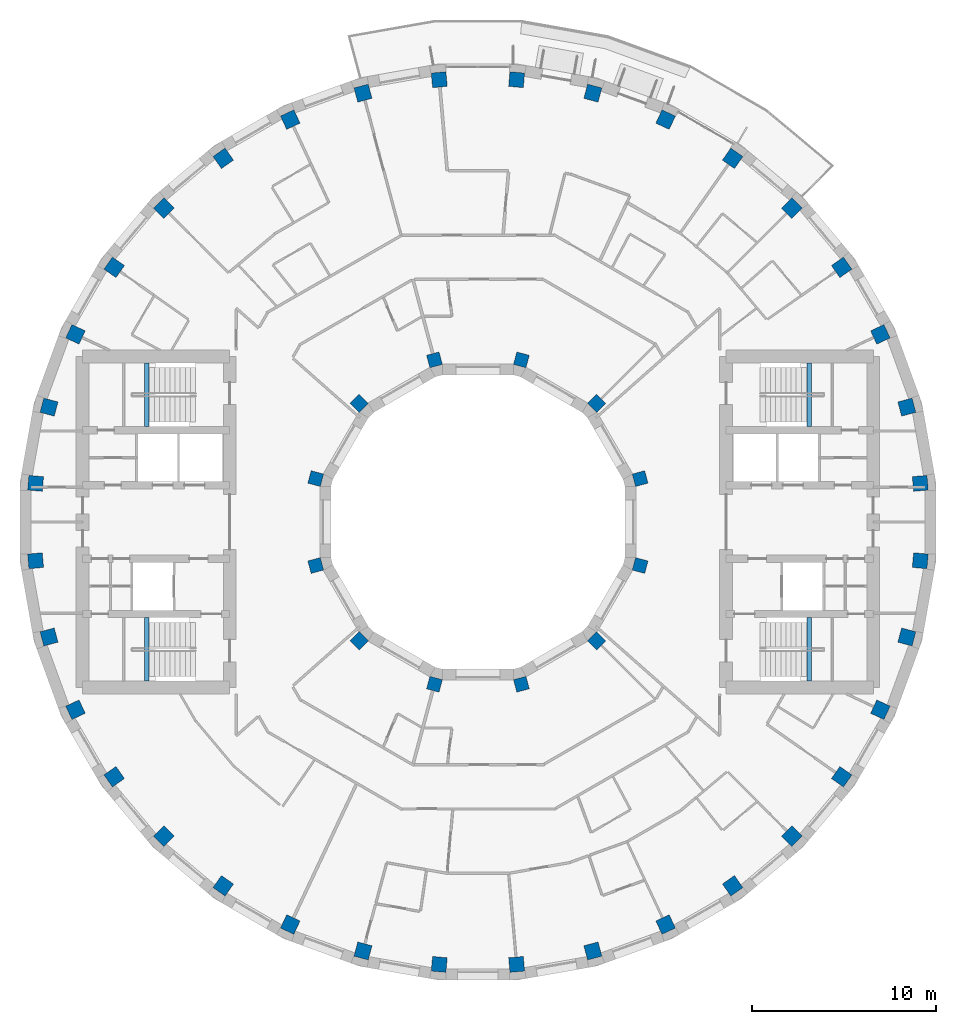
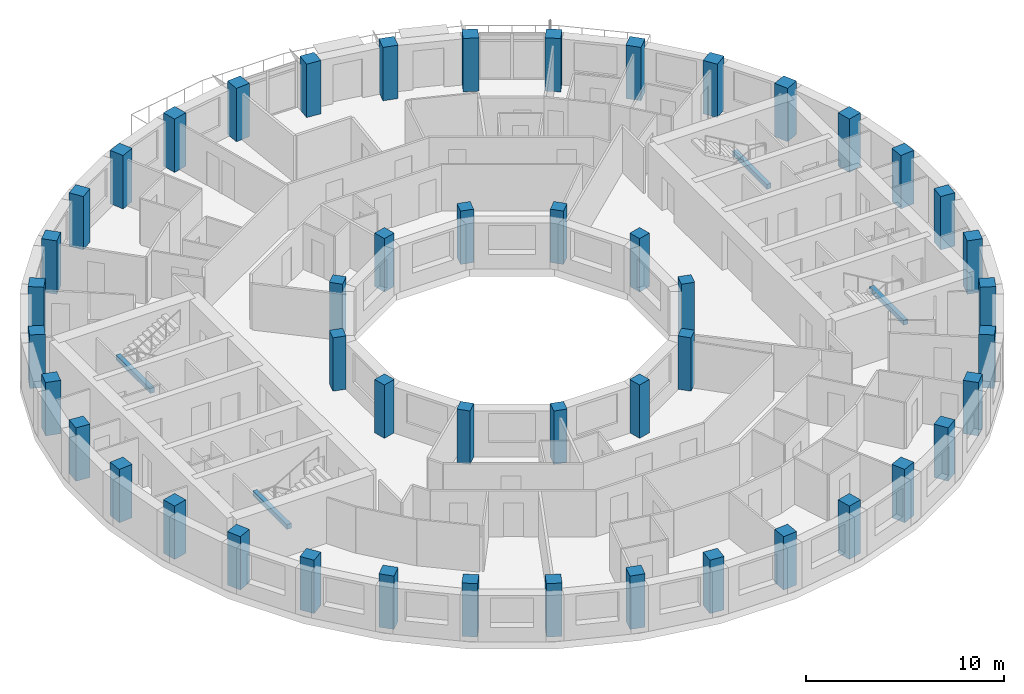
# One storey, part 1 of 13: 48 columns, 4 beams.
"""IFC4 building model written with IfcOpenShell, lengths in metres."""

from ifc_helpers import new_model, si_unit, direction, frame, origin, origin_2d, place, context, subcontext, project, spatial, rectangle, extrude, material, material_profile, profile_set, type_object, element, save


model = new_model("IFC4")

# Units and contexts
model_context = context("Model", 3, precision=1e-05, world=origin(), true_north=direction((0.0, 1.0)))
body_context = subcontext(model_context, "Body", "Model", "MODEL_VIEW")
ifc_project = project(units=[si_unit("LENGTHUNIT", "METRE"), si_unit("AREAUNIT", "SQUARE_METRE"), si_unit("VOLUMEUNIT", "CUBIC_METRE"), si_unit("PLANEANGLEUNIT", "RADIAN"), si_unit("MASSUNIT", "GRAM", prefix="KILO")], contexts=[model_context])

# Site, building, storey
site_placement = place(None, origin())
site = spatial("IfcSite", under=ifc_project, at=site_placement, CompositionType="ELEMENT")
building_placement = place(site_placement, origin())
building = spatial("IfcBuilding", under=site, at=building_placement, Name="Saqina Gate Tower", CompositionType="ELEMENT")
storey_placement = place(building_placement, frame((0.0, 0.0, 203.699951171875)))
storey = spatial("IfcBuildingStorey", under=building, at=storey_placement, Name="L58", CompositionType="ELEMENT", Elevation=203.699951171875)

# Columns
ifc_material_1 = material(Name="Concrete C60/75", Category="concrete")
ifc_material_profile_1 = material_profile(ifc_material_1, rectangle(XDim=0.699951171875, YDim=0.699951171875, at=origin_2d()), Name="RC 700x700")
ifc_profile_set_1 = profile_set([ifc_material_profile_1], Name="Concrete C60/75")
column_type_1 = type_object("IfcColumnType", Name="STR-COL-IN-C", PredefinedType="COLUMN", material=ifc_profile_set_1)
for number, where, z_axis, x_axis, name in (
    (1, (8.821044921875, 2.363525390625, 0.0), (0.0, 0.0, 1.0), (0.965925826289, 0.258819045103, 0.0), "L58-ICL01"),
    (2, (6.45751953125, 6.45751953125, 0.0), (0.0, 0.0, 1.0), (0.707106781187, 0.707106781187, 0.0), "L58-ICL02"),
    (3, (2.363525390625, 8.821044921875, 0.0), (0.0, 0.0, 1.0), (0.258819045103, 0.965925826289, 0.0), "L58-ICL03"),
    (4, (-2.363525390625, 8.821044921875, 0.0), (0.0, 0.0, 1.0), (-0.258819045103, 0.965925826289, 0.0), "L58-ICL04"),
    (5, (-6.45751953125, 6.45751953125, 0.0), (0.0, 0.0, 1.0), (-0.707106781187, 0.707106781187, 0.0), "L58-ICL05"),
    (6, (-8.821044921875, 2.363525390625, 0.0), (0.0, 0.0, 1.0), (-0.965925826289, 0.258819045103, 0.0), "L58-ICL06"),
    (7, (-8.821044921875, -2.363525390625, 0.0), (0.0, 0.0, 1.0), (-0.965925826289, -0.258819045103, 0.0), "L58-ICL07"),
    (8, (-6.45751953125, -6.45751953125, 0.0), (0.0, 0.0, 1.0), (-0.707106781187, -0.707106781187, 0.0), "L58-ICL08"),
    (9, (-2.363525390625, -8.821044921875, 0.0), (0.0, 0.0, 1.0), (-0.258819045103, -0.965925826289, 0.0), "L58-ICL09"),
    (10, (2.363525390625, -8.821044921875, 0.0), (0.0, 0.0, 1.0), (0.258819045103, -0.965925826289, 0.0), "L58-ICL10"),
    (11, (6.45751953125, -6.45751953125, 0.0), (0.0, 0.0, 1.0), (0.707106781187, -0.707106781187, 0.0), "L58-ICL11"),
    (12, (8.821044921875, -2.363525390625, 0.0), (0.0, 0.0, 1.0), (0.965925826289, -0.258819045103, 0.0), "L58-ICL12"),
):
    element("IfcColumn", number, at=place(storey_placement, frame(where, z_axis=z_axis, x_axis=x_axis)), inside=storey, type_object=column_type_1, Name=name, PredefinedType="COLUMN", context=body_context, shape_type="SweptSolid", body=[
        extrude(rectangle(XDim=0.699951171875, YDim=0.699951171875, at=origin_2d()), origin(), (0.0, 0.0, 1.0), 3.300048828125),
    ])
ifc_material_2 = material(Name="Concrete C60/75", Category="concrete")
ifc_material_profile_2 = material_profile(ifc_material_2, rectangle(XDim=0.800048828125, YDim=0.800048828125, at=origin_2d()), Name="RC 800x800")
ifc_profile_set_2 = profile_set([ifc_material_profile_2], Name="Concrete C60/75")
column_type_2 = type_object("IfcColumnType", Name="STR-COL-OUT-C", PredefinedType="COLUMN", material=ifc_profile_set_2)
for number, where, z_axis, x_axis, name in (
    (13, (24.05810546875, 2.104736328125, 0.0), (0.0, 0.0, 1.0), (0.996194698092, 0.087155742748, 0.0), "L58-COL01"),
    (14, (23.3271484375, 6.25048828125, 0.0), (0.0, 0.0, 1.0), (0.965925826289, 0.258819045103, 0.0), "L58-COL02"),
    (15, (21.887451171875, 10.206298828125, 0.0), (0.0, 0.0, 1.0), (0.906307787037, 0.422618261741, 0.0), "L58-COL03"),
    (16, (19.782470703125, 13.851806640625, 0.0), (0.0, 0.0, 1.0), (0.819152044289, 0.573576436351, 0.0), "L58-COL04"),
    (17, (17.07666015625, 17.07666015625, 0.0), (0.0, 0.0, 1.0), (0.707106781187, 0.707106781187, 0.0), "L58-COL05"),
    (18, (13.851806640625, 19.782470703125, 0.0), (0.0, 0.0, 1.0), (0.573576436351, 0.819152044289, 0.0), "L58-COL06"),
    (19, (10.206298828125, 21.887451171875, 0.0), (0.0, 0.0, 1.0), (0.422618261741, 0.906307787037, 0.0), "L58-COL07"),
    (20, (6.25048828125, 23.3271484375, 0.0), (0.0, 0.0, 1.0), (0.258819045103, 0.965925826289, 0.0), "L58-COL08"),
    (21, (2.104736328125, 24.05810546875, 0.0), (0.0, 0.0, 1.0), (0.087155742748, 0.996194698092, 0.0), "L58-COL09"),
    (22, (-2.104736328125, 24.05810546875, 0.0), (0.0, 0.0, 1.0), (-0.087155742748, 0.996194698092, 0.0), "L58-COL10"),
    (23, (-6.25048828125, 23.3271484375, 0.0), (0.0, 0.0, 1.0), (-0.258819045103, 0.965925826289, 0.0), "L58-COL11"),
    (24, (-10.206298828125, 21.887451171875, 0.0), (0.0, 0.0, 1.0), (-0.422618261741, 0.906307787037, 0.0), "L58-COL12"),
    (25, (-13.851806640625, 19.782470703125, 0.0), (0.0, 0.0, 1.0), (-0.573576436351, 0.819152044289, 0.0), "L58-COL13"),
    (26, (-17.07666015625, 17.07666015625, 0.0), (0.0, 0.0, 1.0), (-0.707106781187, 0.707106781187, 0.0), "L58-COL14"),
    (27, (-19.782470703125, 13.851806640625, 0.0), (0.0, 0.0, 1.0), (-0.819152044289, 0.573576436351, 0.0), "L58-COL15"),
    (28, (-21.887451171875, 10.206298828125, 0.0), (0.0, 0.0, 1.0), (-0.906307787037, 0.422618261741, 0.0), "L58-COL16"),
    (29, (-23.3271484375, 6.25048828125, 0.0), (0.0, 0.0, 1.0), (-0.965925826289, 0.258819045103, 0.0), "L58-COL17"),
    (30, (-24.05810546875, 2.104736328125, 0.0), (0.0, 0.0, 1.0), (-0.996194698092, 0.087155742748, 0.0), "L58-COL18"),
    (31, (-24.05810546875, -2.104736328125, 0.0), (0.0, 0.0, 1.0), (-0.996194698092, -0.087155742748, 0.0), "L58-COL19"),
    (32, (-23.3271484375, -6.25048828125, 0.0), (0.0, 0.0, 1.0), (-0.965925826289, -0.258819045103, 0.0), "L58-COL20"),
    (33, (-21.887451171875, -10.206298828125, 0.0), (0.0, 0.0, 1.0), (-0.906307787037, -0.422618261741, 0.0), "L58-COL21"),
    (34, (-19.782470703125, -13.851806640625, 0.0), (0.0, 0.0, 1.0), (-0.819152044289, -0.573576436351, 0.0), "L58-COL22"),
    (35, (-17.07666015625, -17.07666015625, 0.0), (0.0, 0.0, 1.0), (-0.707106781187, -0.707106781187, 0.0), "L58-COL23"),
    (36, (-13.851806640625, -19.782470703125, 0.0), (0.0, 0.0, 1.0), (-0.573576436351, -0.819152044289, 0.0), "L58-COL24"),
    (37, (-10.206298828125, -21.887451171875, 0.0), (0.0, 0.0, 1.0), (-0.422618261741, -0.906307787037, 0.0), "L58-COL25"),
    (38, (-6.25048828125, -23.3271484375, 0.0), (0.0, 0.0, 1.0), (-0.258819045103, -0.965925826289, 0.0), "L58-COL26"),
    (39, (-2.104736328125, -24.05810546875, 0.0), (0.0, 0.0, 1.0), (-0.087155742748, -0.996194698092, 0.0), "L58-COL27"),
    (40, (2.104736328125, -24.05810546875, 0.0), (0.0, 0.0, 1.0), (0.087155742748, -0.996194698092, 0.0), "L58-COL28"),
    (41, (6.25048828125, -23.3271484375, 0.0), (0.0, 0.0, 1.0), (0.258819045103, -0.965925826289, 0.0), "L58-COL29"),
    (42, (10.206298828125, -21.887451171875, 0.0), (0.0, 0.0, 1.0), (0.422618261741, -0.906307787037, 0.0), "L58-COL30"),
    (43, (13.851806640625, -19.782470703125, 0.0), (0.0, 0.0, 1.0), (0.573576436351, -0.819152044289, 0.0), "L58-COL31"),
    (44, (17.07666015625, -17.07666015625, 0.0), (0.0, 0.0, 1.0), (0.707106781187, -0.707106781187, 0.0), "L58-COL32"),
    (45, (19.782470703125, -13.851806640625, 0.0), (0.0, 0.0, 1.0), (0.819152044289, -0.573576436351, 0.0), "L58-COL33"),
    (46, (21.887451171875, -10.206298828125, 0.0), (0.0, 0.0, 1.0), (0.906307787037, -0.422618261741, 0.0), "L58-COL34"),
    (47, (23.3271484375, -6.25048828125, 0.0), (0.0, 0.0, 1.0), (0.965925826289, -0.258819045103, 0.0), "L58-COL35"),
    (48, (24.05810546875, -2.104736328125, 0.0), (0.0, 0.0, 1.0), (0.996194698092, -0.087155742748, 0.0), "L58-COL36"),
):
    element("IfcColumn", number, at=place(storey_placement, frame(where, z_axis=z_axis, x_axis=x_axis)), inside=storey, type_object=column_type_2, Name=name, PredefinedType="COLUMN", context=body_context, shape_type="SweptSolid", body=[
        extrude(rectangle(XDim=0.800048828125, YDim=0.800048828125, at=origin_2d()), origin(), (0.0, 0.0, 1.0), 3.300048828125),
    ])

# Beams
ifc_material_3 = material(Name="Concrete C40/50", Category="concrete")
ifc_material_profile_3 = material_profile(ifc_material_3, rectangle(XDim=0.25, YDim=0.300048828125, at=origin_2d()), Name="STAIR LANDING BEAM")
ifc_profile_set_3 = profile_set([ifc_material_profile_3], Name="Concrete C40/50")
beam_type = type_object("IfcBeamType", Name="STAIR LANDING BEAM", PredefinedType="BEAM", material=ifc_profile_set_3)
for number, where, z_axis, x_axis, name in (
    (49, (18.02001953125, 5.199951171875, 1.25), (0.0, 1.0, 0.0), (-1.0, 0.0, 0.0), "EXIT STAIR 1 LANDING BEAM"),
    (50, (18.02001953125, -8.64990234375, 1.25), (0.0, 1.0, 0.0), (-1.0, 0.0, 0.0), "EXIT STAIR 2 LANDING BEAM"),
    (51, (-18.02001953125, 5.199951171875, 1.25), (0.0, 1.0, 0.0), (-1.0, 0.0, 0.0), "EXIT STAIR 3 LANDING BEAM"),
    (52, (-18.02001953125, -8.64990234375, 1.25), (0.0, 1.0, 0.0), (-1.0, 0.0, 0.0), "EXIT STAIR 4 LANDING BEAM"),
):
    element("IfcBeam", number, at=place(storey_placement, frame(where, z_axis=z_axis, x_axis=x_axis)), inside=storey, type_object=beam_type, Name=name, PredefinedType="BEAM", context=body_context, shape_type="SweptSolid", body=[
        extrude(rectangle(XDim=0.25, YDim=0.300048828125, at=origin_2d()), origin(), (0.0, 0.0, 1.0), 3.449951171875),
    ])

save(model, "model.ifc")
